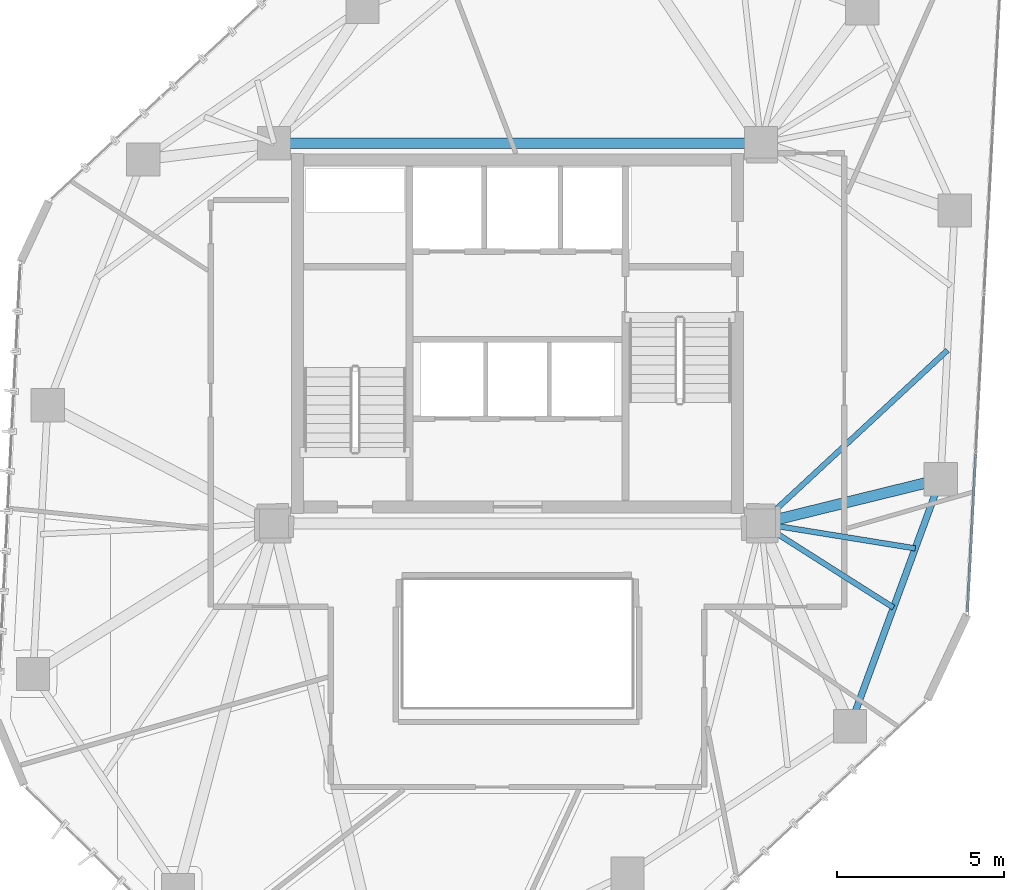
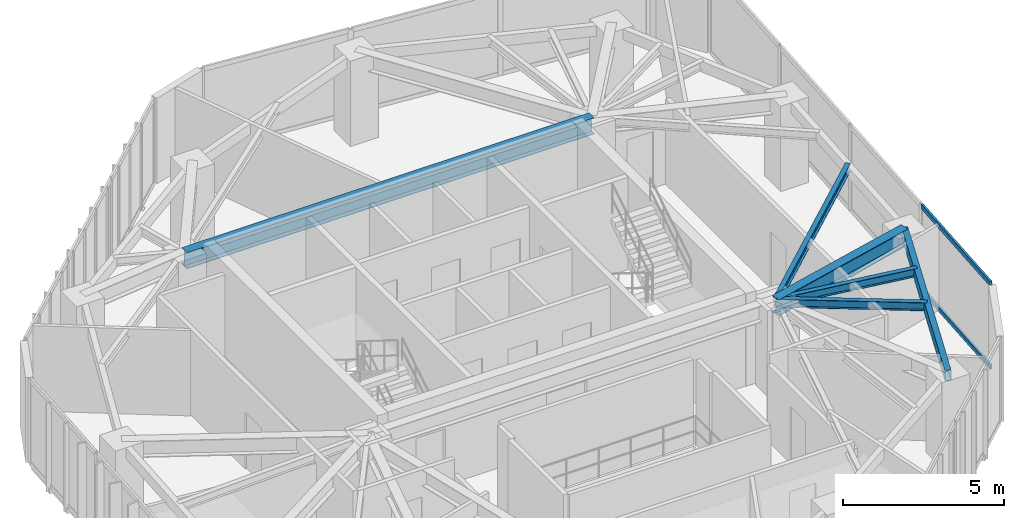
# One storey, part 10 of 19: 6 beams, 2 members, 1 element without a shape of its own.
"""IFC4 building model written with IfcOpenShell, lengths in metres."""

import ifcopenshell
import ifcopenshell.guid

model = None  # the IFC model being written
_history = None  # IfcOwnerHistory: only IFC2X3 demands one
_inside = {}  # id of a spatial element -> (the spatial element, [elements in it])
_under = {}  # id of a project, library or spatial element -> (it, [spatial elements below it])
_declared = {}  # id of a project -> (the project, [libraries it declares])
_typed = {}  # id of a type object -> (the type object, [elements of that type])
_made_of = {}  # id of a material, layer set ... -> (it, [elements and type objects made of it])


def new_model(schema):
    """Start an empty IFC model of exactly this schema.

    Asked for "IFC4X3", IfcOpenShell would pick the latest addendum, in which some entities
    have other attributes; the version numbers below select the first issue.
    IFC2X3 requires an IfcOwnerHistory on every rooted entity: one is made here for all.
    """
    global model, _history
    if schema == "IFC4X3":
        model = ifcopenshell.file(schema_version=(4, 3, 0, 0))
    else:
        model = ifcopenshell.file(schema=schema)
    _inside.clear()
    _under.clear()
    _declared.clear()
    _typed.clear()
    _made_of.clear()
    _history = None
    if model.schema == "IFC2X3":
        org = make("IfcOrganization", Name="unknown")
        user = make(
            "IfcPersonAndOrganization",
            ThePerson=make("IfcPerson", FamilyName="unknown"),
            TheOrganization=org,
        )
        app = make(
            "IfcApplication",
            ApplicationDeveloper=org,
            Version="unknown",
            ApplicationFullName="unknown",
            ApplicationIdentifier="unknown",
        )
        _history = make(
            "IfcOwnerHistory",
            OwningUser=user,
            OwningApplication=app,
            ChangeAction="ADDED",
            CreationDate=0,
        )
    return model


def make(cls, **values):
    """One entity of the class cls with the attributes given. An attribute that is None is left unset."""
    return model.create_entity(
        cls, **{name: value for name, value in values.items() if value is not None}
    )


def rooted(cls, **values):
    """An entity with a GlobalId (a new one), such as an element, a storey or a relation."""
    return make(cls, GlobalId=ifcopenshell.guid.new(), OwnerHistory=_history, **values)


def si_unit(unit_type, name, prefix=None):
    """IfcSIUnit, for example si_unit("LENGTHUNIT", "METRE", prefix="MILLI")."""
    return make("IfcSIUnit", UnitType=unit_type, Prefix=prefix, Name=name)


def assignment(units):
    """IfcUnitAssignment: the units of a project."""
    return None if units is None else make("IfcUnitAssignment", Units=units)


def point(xyz):
    """IfcCartesianPoint."""
    return None if xyz is None else make("IfcCartesianPoint", Coordinates=xyz)


def direction(xyz):
    """IfcDirection."""
    return None if xyz is None else make("IfcDirection", DirectionRatios=xyz)


def frame(location, z_axis=None, x_axis=None):
    """IfcAxis2Placement3D, a coordinate frame: its origin and axes. An axis left out is left unset."""
    return make(
        "IfcAxis2Placement3D",
        Location=point(location),
        Axis=direction(z_axis),
        RefDirection=direction(x_axis),
    )


def frame_2d(location, x_axis=None):
    """IfcAxis2Placement2D, a coordinate frame in the plane: its origin and x axis."""
    return make(
        "IfcAxis2Placement2D", Location=point(location), RefDirection=direction(x_axis)
    )


def origin():
    """The frame at (0, 0, 0) with its axes left unset."""
    return frame((0.0, 0.0, 0.0))


def origin_2d():
    """The frame at (0, 0) in the plane with its x axis left unset."""
    return frame_2d((0.0, 0.0))


def place(relative_to, where):
    """IfcLocalPlacement: puts the frame where relative to a parent placement (None: the world)."""
    return make(
        "IfcLocalPlacement", PlacementRelTo=relative_to, RelativePlacement=where
    )


def context(
    kind, dimensions, precision=None, world=None, true_north=None, identifier=None
):
    """IfcGeometricRepresentationContext, for example the 3D "Model" context."""
    return make(
        "IfcGeometricRepresentationContext",
        ContextIdentifier=identifier,
        ContextType=kind,
        CoordinateSpaceDimension=dimensions,
        Precision=precision,
        WorldCoordinateSystem=world,
        TrueNorth=true_north,
    )


def subcontext(parent, identifier, kind, view, scale=None):
    """IfcGeometricRepresentationSubContext, for example "Body" below "Model"."""
    return make(
        "IfcGeometricRepresentationSubContext",
        ContextIdentifier=identifier,
        ContextType=kind,
        ParentContext=parent,
        TargetScale=scale,
        TargetView=view,
    )


def project(units=None, contexts=None):
    """IfcProject with its units and contexts."""
    return rooted(
        "IfcProject",
        Name="project",
        RepresentationContexts=contexts,
        UnitsInContext=assignment(units),
    )


def spatial(cls, under=None, at=None, **own):
    """A site, building, storey or space (cls), placed at a placement, below another one or the project."""
    s = rooted(cls, ObjectPlacement=at, **own)
    if under is not None:
        _under.setdefault(under.id(), (under, []))[1].append(s)
    return s


def profile(cls, at=None, kind="AREA", **sizes):
    """A parametric profile (cls). Its sizes go by their IFC names, for example OverallWidth=200.0."""
    return make(cls, ProfileType=kind, Position=at, **sizes)


def hollow_rectangle(**sizes):
    """IfcRectangleHollowProfileDef."""
    return profile("IfcRectangleHollowProfileDef", **sizes)


def i_section(**sizes):
    """IfcIShapeProfileDef."""
    return profile("IfcIShapeProfileDef", **sizes)


def extrude(swept, where, along, depth):
    """IfcExtrudedAreaSolid: the profile swept, set in the frame where, extruded along a direction by depth."""
    return make(
        "IfcExtrudedAreaSolid",
        SweptArea=swept,
        Position=where,
        ExtrudedDirection=direction(along),
        Depth=depth,
    )


def shape(context_of_items, identifier, shape_type, items):
    """IfcShapeRepresentation: the items that make up one representation, for example the "Body"."""
    return make(
        "IfcShapeRepresentation",
        ContextOfItems=context_of_items,
        RepresentationIdentifier=identifier,
        RepresentationType=shape_type,
        Items=items,
    )


def source(mapping_origin, context_of_items, identifier, shape_type, items):
    """IfcRepresentationMap: a shape defined once, which mapped items show again and again."""
    return make(
        "IfcRepresentationMap",
        MappingOrigin=mapping_origin,
        MappedRepresentation=shape(context_of_items, identifier, shape_type, items),
    )


def transform(
    local_origin,
    x_axis=None,
    y_axis=None,
    z_axis=None,
    scale=None,
    scale2=None,
    scale3=None,
    uniform=True,
):
    """IfcCartesianTransformationOperator3D, or its non-uniform kind. x_axis, y_axis, z_axis: its Axis1, 2, 3."""
    if uniform:
        return make(
            "IfcCartesianTransformationOperator3D",
            Axis1=direction(x_axis),
            Axis2=direction(y_axis),
            LocalOrigin=point(local_origin),
            Scale=scale,
            Axis3=direction(z_axis),
        )
    return make(
        "IfcCartesianTransformationOperator3DnonUniform",
        Axis1=direction(x_axis),
        Axis2=direction(y_axis),
        LocalOrigin=point(local_origin),
        Scale=scale,
        Axis3=direction(z_axis),
        Scale2=scale2,
        Scale3=scale3,
    )


def mapped(mapping_source, mapping_target):
    """IfcMappedItem: shows the shape of a source again, moved by a transform."""
    return make(
        "IfcMappedItem", MappingSource=mapping_source, MappingTarget=mapping_target
    )


def material(Name=None, Category=None):
    """IfcMaterial."""
    return make("IfcMaterial", Name=Name, Category=Category)


def layer(
    of_material, thickness, ventilated=None, Name=None, Category=None, Priority=None
):
    """IfcMaterialLayer: one layer of a wall or slab, of a material (None: an air gap)."""
    return make(
        "IfcMaterialLayer",
        Material=of_material,
        LayerThickness=thickness,
        IsVentilated=ventilated,
        Name=Name,
        Category=Category,
        Priority=Priority,
    )


def layer_set(layers, Name=None):
    """IfcMaterialLayerSet."""
    return make("IfcMaterialLayerSet", MaterialLayers=layers, LayerSetName=Name)


def material_profile(
    of_material, cross_section, Name=None, Category=None, Priority=None
):
    """IfcMaterialProfile: a cross section and its material."""
    return make(
        "IfcMaterialProfile",
        Name=Name,
        Material=of_material,
        Profile=cross_section,
        Priority=Priority,
        Category=Category,
    )


def profile_set(profiles, Name=None, composite=None):
    """IfcMaterialProfileSet."""
    return make(
        "IfcMaterialProfileSet",
        Name=Name,
        MaterialProfiles=profiles,
        CompositeProfile=composite,
    )


def made_of(thing, what):
    """Note that an element or type object is made of a material, layer set ...; save() writes the relation."""
    if what is not None:
        _made_of.setdefault(what.id(), (what, []))[1].append(thing)
    return thing


def type_object(cls, material=None, **own):
    """A type object (cls), such as IfcWallType, which elements share."""
    return made_of(rooted(cls, **own), material)


def type_shapes(of_type, sources):
    """Give a type object the sources (RepresentationMaps) that its elements show as mapped items."""
    of_type.RepresentationMaps = sources


def element(
    cls,
    number,
    at=None,
    inside=None,
    cuts=None,
    type_object=None,
    material=None,
    context=None,
    identifier="Body",
    shape_type=None,
    held_by="IfcProductDefinitionShape",
    body=None,
    shapes=None,
    **own,
):
    """One element of the class cls, such as IfcWall. Its Tag is "e" and its number.

    at: its placement. inside: the storey or other place that contains it. cuts: it is an
    opening in that element (IfcRelVoidsElement). A single representation is given by context,
    identifier, shape_type and body (its items); several are given by shapes. held_by: the class
    of the entity that holds the representations. save() writes the other relations.
    """
    e = rooted(cls, Tag="e%d" % number, ObjectPlacement=at, **own)
    if body is not None:
        shapes = [shape(context, identifier, shape_type, body)]
    if shapes is not None:
        e.Representation = make(held_by, Representations=shapes)
    if inside is not None:
        _inside.setdefault(inside.id(), (inside, []))[1].append(e)
    if cuts is not None:
        rooted(
            "IfcRelVoidsElement", RelatingBuildingElement=cuts, RelatedOpeningElement=e
        )
    if type_object is not None:
        _typed.setdefault(type_object.id(), (type_object, []))[1].append(e)
    return made_of(e, material)


def aggregate(whole, parts):
    """IfcRelAggregates: a whole, such as a stair, and the parts it consists of."""
    return rooted("IfcRelAggregates", RelatingObject=whole, RelatedObjects=parts)


def save(model, path):
    """Write the relations noted so far, then the file.

    IfcRelAggregates (storeys below a building ...), IfcRelContainedInSpatialStructure (elements
    in a storey), IfcRelDefinesByType, IfcRelAssociatesMaterial and IfcRelDeclares: one each for
    every whole, place, type object, material and project.
    """
    for whole, parts in _under.values():
        aggregate(whole, parts)
    for where, things in _inside.values():
        rooted(
            "IfcRelContainedInSpatialStructure",
            RelatedElements=things,
            RelatingStructure=where,
        )
    for kind, things in _typed.values():
        rooted("IfcRelDefinesByType", RelatedObjects=things, RelatingType=kind)
    for what, things in _made_of.values():
        rooted("IfcRelAssociatesMaterial", RelatedObjects=things, RelatingMaterial=what)
    for by, libraries in _declared.values():
        rooted("IfcRelDeclares", RelatingContext=by, RelatedDefinitions=libraries)
    model.write(path)


model = new_model("IFC4")

# Units and contexts
model_context = context("Model", 3, precision=1e-05, world=origin(), true_north=direction((0.0, 1.0)))
body_context = subcontext(model_context, "Body", "Model", "MODEL_VIEW")
ifc_project = project(units=[si_unit("LENGTHUNIT", "METRE"), si_unit("AREAUNIT", "SQUARE_METRE"), si_unit("VOLUMEUNIT", "CUBIC_METRE"), si_unit("PLANEANGLEUNIT", "RADIAN"), si_unit("MASSUNIT", "GRAM", prefix="KILO")], contexts=[model_context])

# Site, building, storey
site_placement = place(None, origin())
site = spatial("IfcSite", under=ifc_project, at=site_placement, CompositionType="ELEMENT")
building_placement = place(site_placement, origin())
building = spatial("IfcBuilding", under=site, at=building_placement, Name="Talar Marvaseh", CompositionType="ELEMENT")
storey_placement = place(building_placement, frame((0.0, 0.0, 218.699951171875)))
storey = spatial("IfcBuildingStorey", under=building, at=storey_placement, Name="L57", CompositionType="ELEMENT", Elevation=218.699951171875)

# Beams
ifc_material_1 = material(Name="Steel S355", Category="steel")
ifc_material_profile_1 = material_profile(ifc_material_1, hollow_rectangle(XDim=0.199951171875, YDim=0.39990234375, WallThickness=0.013916015625, at=origin_2d()), Name="RHS400x200x14")
ifc_profile_set_1 = profile_set([ifc_material_profile_1], Name="Steel S355")
beam_type_1 = type_object("IfcBeamType", Name="Zone 3 Perimeter Spandrel Beam RHS400x200x14", PredefinedType="SPANDREL", material=ifc_profile_set_1)
beam_1_placement = place(storey_placement, frame((38.68896484375, 26.823974609375, 3.030029296875), z_axis=(-0.344742291376, -0.938697370049, 0.0), x_axis=(0.938697370049, -0.344742291376, 0.0)))
element("IfcBeam", 1, at=beam_1_placement, inside=storey, type_object=beam_type_1, Name="L57 Zone 3 Perimeter Spandrel Beam RHS400x200x14", PredefinedType="SPANDREL", context=body_context, shape_type="SweptSolid", body=[
    extrude(hollow_rectangle(XDim=0.199951171875, YDim=0.39990234375, WallThickness=0.013916015625, at=origin_2d()), origin(), (0.0, 0.0, 1.0), 7.88427734375),
])
ifc_material_profile_2 = material_profile(ifc_material_1, i_section(OverallWidth=0.324951171875, OverallDepth=0.615966796875, WebThickness=0.013916015625, FlangeThickness=0.021484375, at=origin_2d()), Name="W610x174")
ifc_profile_set_2 = profile_set([ifc_material_profile_2], Name="Steel S355")
beam_type_2 = type_object("IfcBeamType", Name="Zone 3 Radial Floor Girder W610x174", PredefinedType="BEAM", material=ifc_profile_set_2)
beam_2_placement = place(storey_placement, frame((18.699951171875, 36.89990234375, 2.922119140625), z_axis=(1.0, 0.0, 0.0), x_axis=(0.0, 1.0, 0.0)))
element("IfcBeam", 2, at=beam_2_placement, inside=storey, type_object=beam_type_2, Name="L57 Zone 3 Radial Floor Girder W610x174", PredefinedType="BEAM", context=body_context, shape_type="SweptSolid", body=[
    extrude(i_section(OverallWidth=0.324951171875, OverallDepth=0.615966796875, WebThickness=0.013916015625, FlangeThickness=0.021484375, at=origin_2d()), origin(), (0.0, 0.0, 1.0), 14.60009765625),
])
beam_3_placement = place(storey_placement, frame((38.68896484375, 26.823974609375, 2.922119140625), z_axis=(-0.971120507527, -0.238589521692, 0.0), x_axis=(0.238589521692, -0.971120507527, 0.0)))
element("IfcBeam", 3, at=beam_3_placement, inside=storey, type_object=beam_type_2, Name="L57 Zone 3 Radial Floor Girder W610x174", PredefinedType="BEAM", context=body_context, shape_type="SweptSolid", body=[
    extrude(i_section(OverallWidth=0.324951171875, OverallDepth=0.615966796875, WebThickness=0.013916015625, FlangeThickness=0.021484375, at=origin_2d()), origin(), (0.0, 0.0, 1.0), 5.549072265625),
])
ifc_material_profile_3 = material_profile(ifc_material_1, i_section(OverallWidth=0.166015625, OverallDepth=0.31298828125, WebThickness=0.006591796875, FlangeThickness=0.01123046875, at=origin_2d()), Name="W310x45")
ifc_profile_set_3 = profile_set([ifc_material_profile_3], Name="Steel S355")
beam_type_3 = type_object("IfcBeamType", Name="Zone 3 Secondary Floor Joist W310x45", PredefinedType="JOIST", material=ifc_profile_set_3)
beam_4_placement = place(storey_placement, frame((38.892578125, 30.69287109375, 3.073486328125), z_axis=(-0.73280602476, -0.680437601897, 0.0), x_axis=(0.680437601897, -0.73280602476, 0.0)))
element("IfcBeam", 4, at=beam_4_placement, inside=storey, type_object=beam_type_3, Name="L57 Zone 3 Secondary Floor Joist W310x45", PredefinedType="JOIST", context=body_context, shape_type="SweptSolid", body=[
    extrude(i_section(OverallWidth=0.166015625, OverallDepth=0.31298828125, WebThickness=0.006591796875, FlangeThickness=0.01123046875, at=origin_2d()), origin(), (0.0, 0.0, 1.0), 7.631591796875),
])
beam_5_placement = place(storey_placement, frame((37.927978515625, 24.751708984375, 3.073486328125), z_axis=(-0.987178985963, 0.159617197298, 0.0), x_axis=(-0.159617197298, -0.987178985963, 0.0)))
element("IfcBeam", 5, at=beam_5_placement, inside=storey, type_object=beam_type_3, Name="L57 Zone 3 Secondary Floor Joist W310x45", PredefinedType="JOIST", context=body_context, shape_type="SweptSolid", body=[
    extrude(i_section(OverallWidth=0.166015625, OverallDepth=0.31298828125, WebThickness=0.006591796875, FlangeThickness=0.01123046875, at=origin_2d()), origin(), (0.0, 0.0, 1.0), 4.68798828125),
])
beam_6_placement = place(storey_placement, frame((37.275634765625, 22.9755859375, 3.073486328125), z_axis=(-0.844190472961, 0.536043324147, 0.0), x_axis=(-0.536043324147, -0.844190472961, 0.0)))
element("IfcBeam", 6, at=beam_6_placement, inside=storey, type_object=beam_type_3, Name="L57 Zone 3 Secondary Floor Joist W310x45", PredefinedType="JOIST", context=body_context, shape_type="SweptSolid", body=[
    extrude(i_section(OverallWidth=0.166015625, OverallDepth=0.31298828125, WebThickness=0.006591796875, FlangeThickness=0.01123046875, at=origin_2d()), origin(), (0.0, 0.0, 1.0), 4.709228515625),
])

# Curtain wall, members
ifc_material_2 = material(Name="Architectural Aluminium", Category="aluminium")
ifc_layer = layer(ifc_material_2, 0.18994140625)
ifc_layer_set = layer_set([ifc_layer], Name="Architectural Aluminium")
curtain_wall_type = type_object("IfcCurtainWallType", Name="Unitised Solar Atelier Curtain Wall Z3", PredefinedType="NOTDEFINED", material=ifc_layer_set)
curtain_wall_placement = place(storey_placement, origin())
curtain_wall = element("IfcCurtainWall", 7, at=curtain_wall_placement, inside=storey, type_object=curtain_wall_type, Name="L57 Unitised Solar Atelier Curtain Wall Z3", PredefinedType="NOTDEFINED")
ifc_material_profile_4 = material_profile(ifc_material_2, hollow_rectangle(XDim=0.074951171875, YDim=0.179931640625, WallThickness=0.0048828125, at=origin_2d()), Name="RHS180x75x5")
ifc_profile_set_4 = profile_set([ifc_material_profile_4], Name="Architectural Aluminium")
member_type = type_object("IfcMemberType", Name="Unitised Curtain Wall Transom RHS180x75x5", PredefinedType="USERDEFINED", material=ifc_profile_set_4)
shared_shape = source(origin(), body_context, "Body", "SweptSolid", [
    extrude(hollow_rectangle(XDim=0.074951171875, YDim=0.179931640625, WallThickness=0.0048828125, at=origin_2d()), origin(), (0.0, 0.0, 1.0), 4.709716796875),
])
type_shapes(member_type, [shared_shape])
member_1_placement = place(storey_placement, frame((39.73974609375, 27.566162109375, 0.03759765625), z_axis=(-0.05251257922, -0.998620262674, 0.0), x_axis=(0.998620262674, -0.05251257922, 0.0)))
member_1 = element("IfcMember", 8, at=member_1_placement, type_object=member_type, Name="CW-Z3 transom 4.1", ObjectType="TRANSOM", PredefinedType="USERDEFINED", context=body_context, shape_type="MappedRepresentation", body=[
    mapped(shared_shape, transform((0.0, 0.0, 0.0), x_axis=(1.0, 0.0, 0.0), y_axis=(0.0, 1.0, 0.0), z_axis=(0.0, 0.0, 1.0), scale=1.0)),
])
member_2_placement = place(storey_placement, frame((39.73974609375, 27.566162109375, 3.192626953125), z_axis=(-0.05251257922, -0.998620262674, 0.0), x_axis=(0.998620262674, -0.05251257922, 0.0)))
member_2 = element("IfcMember", 9, at=member_2_placement, type_object=member_type, Name="CW-Z3 transom 4.2", ObjectType="TRANSOM", PredefinedType="USERDEFINED", context=body_context, shape_type="MappedRepresentation", body=[
    mapped(shared_shape, transform((0.0, 0.0, 0.0), x_axis=(1.0, 0.0, 0.0), y_axis=(0.0, 1.0, 0.0), z_axis=(0.0, 0.0, 1.0), scale=1.0)),
])
aggregate(curtain_wall, [member_1, member_2])

save(model, "model.ifc")
